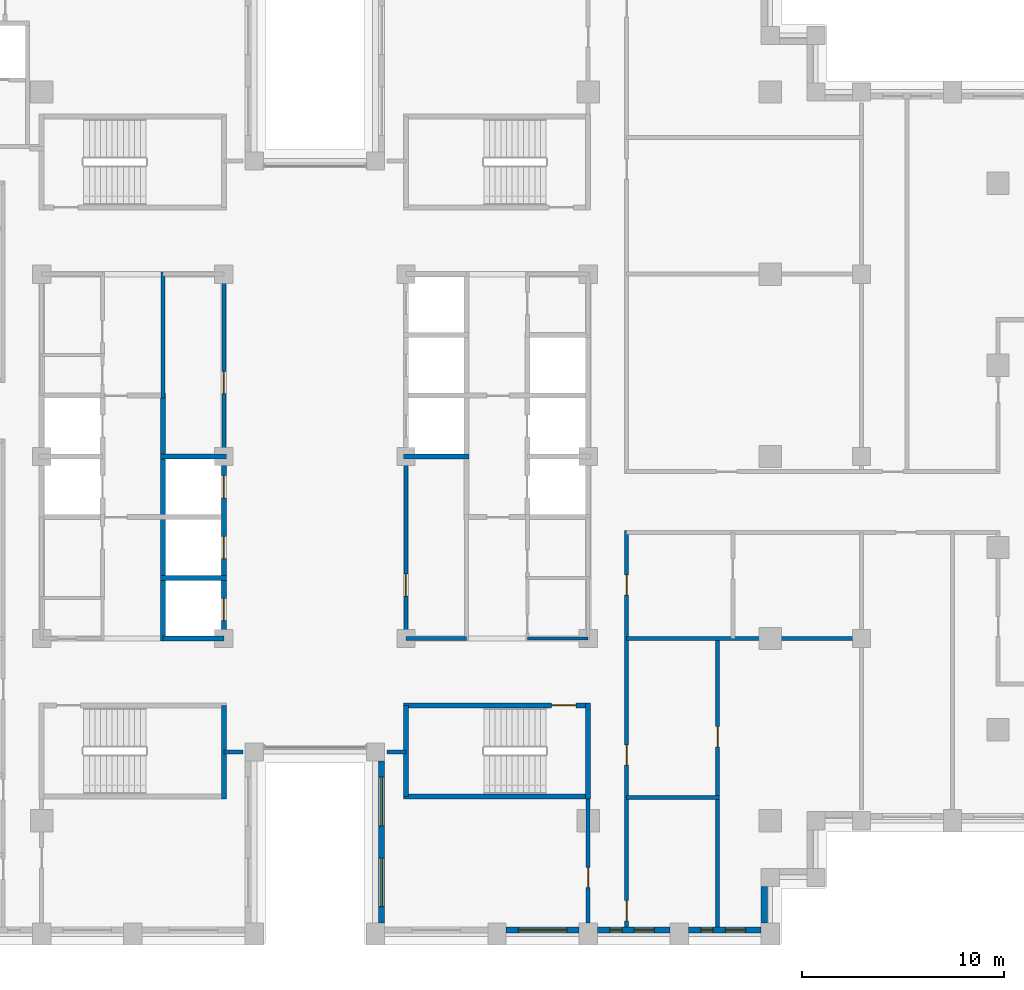
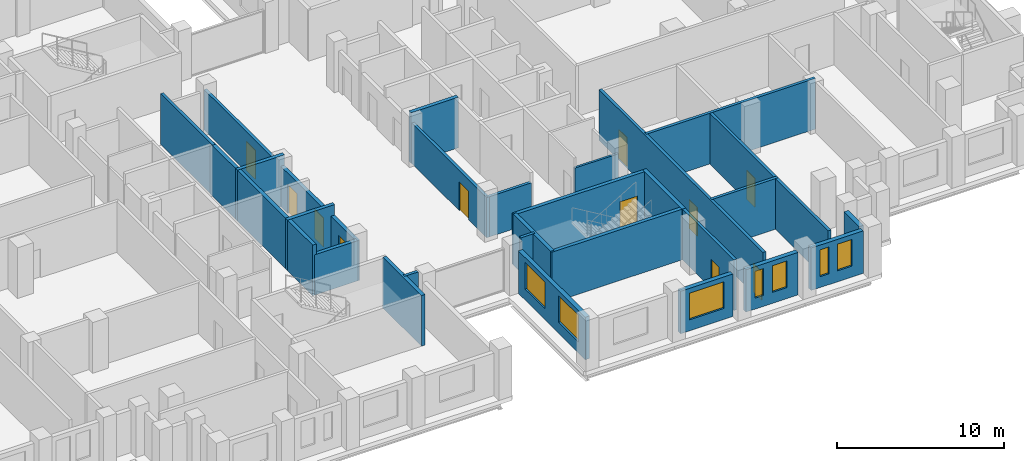
# One storey, part 8 of 15: 28 walls, 11 doors, 7 windows, 18 openings.
"""IFC4 building model written with IfcOpenShell, lengths in metres."""

from ifc_helpers import new_model, si_unit, direction, frame, frame_2d, origin, place, context, subcontext, project, spatial, rectangle, extrude, material, layer, layer_set, type_object, element, fill, save


model = new_model("IFC4")

# Units and contexts
model_context = context("Model", 3, precision=1e-05, world=origin(), true_north=direction((0.0, 1.0)))
body_context = subcontext(model_context, "Body", "Model", "MODEL_VIEW")
ifc_project = project(units=[si_unit("LENGTHUNIT", "METRE"), si_unit("AREAUNIT", "SQUARE_METRE"), si_unit("VOLUMEUNIT", "CUBIC_METRE"), si_unit("PLANEANGLEUNIT", "RADIAN"), si_unit("MASSUNIT", "GRAM", prefix="KILO")], contexts=[model_context])

# Site, building, storey
site_placement = place(None, origin())
site = spatial("IfcSite", under=ifc_project, at=site_placement, CompositionType="ELEMENT")
building_placement = place(site_placement, origin())
building = spatial("IfcBuilding", under=site, at=building_placement, Name="Corbelhall Arena Tower", CompositionType="ELEMENT")
storey_placement = place(building_placement, frame((0.0, 0.0, 142.0)))
storey = spatial("IfcBuildingStorey", under=building, at=storey_placement, Name="L27", CompositionType="ELEMENT", Elevation=142.0)

# Wall, openings, windows
ifc_material_1 = material(Name="Precast concrete C40/50 with granite facing", Category="masonry")
ifc_layer_1 = layer(ifc_material_1, 0.300048828125)
ifc_layer_set_1 = layer_set([ifc_layer_1], Name="EV-IW1 Infill panel 300")
wall_type_1 = type_object("IfcWallType", Name="EV-IW1 Infill panel 300", PredefinedType="SOLIDWALL", material=ifc_layer_set_1)
wall_1_placement = place(storey_placement, frame((3.300048828125, -15.050048828125, 0.0), z_axis=(0.0, 0.0, 1.0), x_axis=(0.0, -1.0, 0.0)))
wall_1 = element("IfcWall", 1, at=wall_1_placement, inside=storey, type_object=wall_type_1, Name="Infill panel IW1", PredefinedType="SOLIDWALL", context=body_context, shape_type="SweptSolid", body=[
    extrude(rectangle(XDim=8.0, YDim=0.300048828125, at=frame_2d((4.0, 0.0))), origin(), (0.0, 0.0, 1.0), 3.10009765625),
])
opening_1_placement = place(wall_1_placement, frame((0.800048828125, 0.0, 0.800048828125)))
opening_1 = element("IfcOpeningElement", 2, at=opening_1_placement, cuts=wall_1, Name="Opening WN1", PredefinedType="OPENING", context=body_context, shape_type="SweptSolid", body=[
    extrude(rectangle(XDim=2.39990234375, YDim=1.949951171875, at=frame_2d((1.199951171875, 0.97509765625))), frame((0.0, 0.14990234375, 0.0), z_axis=(0.0, -1.0, 0.0), x_axis=(1.0, 0.0, 0.0)), (0.0, 0.0, 1.0), 0.300048828125),
])
opening_2_placement = place(wall_1_placement, frame((4.800048828125, 0.0, 0.800048828125)))
opening_2 = element("IfcOpeningElement", 3, at=opening_2_placement, cuts=wall_1, Name="Opening WN1", PredefinedType="OPENING", context=body_context, shape_type="SweptSolid", body=[
    extrude(rectangle(XDim=2.39990234375, YDim=1.949951171875, at=frame_2d((1.199951171875, 0.97509765625))), frame((0.0, 0.14990234375, 0.0), z_axis=(0.0, -1.0, 0.0), x_axis=(1.0, 0.0, 0.0)), (0.0, 0.0, 1.0), 0.300048828125),
])
ifc_material_2 = material(Name="Aluminium black anodised", Category="aluminium")
window_type_1 = type_object("IfcWindowType", Name="EV-WN1 Office window", PartitioningType="SINGLE_PANEL", PredefinedType="WINDOW", material=ifc_material_2)
window_1_placement = place(opening_1_placement, origin())
window_1 = element("IfcWindow", 4, at=window_1_placement, inside=storey, type_object=window_type_1, Name="Window WN1", OverallHeight=1.949951171875, OverallWidth=2.39990234375, PartitioningType="SINGLE_PANEL", PredefinedType="WINDOW", context=body_context, shape_type="SweptSolid", body=[
    extrude(rectangle(XDim=2.39990234375, YDim=1.949951171875, at=frame_2d((1.199951171875, 0.97509765625))), frame((0.0, 0.030029296875, 0.0), z_axis=(0.0, -1.0, 0.0), x_axis=(1.0, 0.0, 0.0)), (0.0, 0.0, 1.0), 0.06005859375),
])
fill(opening_1, window_1)
window_2_placement = place(opening_2_placement, origin())
window_2 = element("IfcWindow", 5, at=window_2_placement, inside=storey, type_object=window_type_1, Name="Window WN1", OverallHeight=1.949951171875, OverallWidth=2.39990234375, PartitioningType="SINGLE_PANEL", PredefinedType="WINDOW", context=body_context, shape_type="SweptSolid", body=[
    extrude(rectangle(XDim=2.39990234375, YDim=1.949951171875, at=frame_2d((1.199951171875, 0.97509765625))), frame((0.0, 0.030029296875, 0.0), z_axis=(0.0, -1.0, 0.0), x_axis=(1.0, 0.0, 0.0)), (0.0, 0.0, 1.0), 0.06005859375),
])
fill(opening_2, window_2)

# Wall, opening, window
wall_2_placement = place(storey_placement, frame((9.449951171875, -23.39990234375, 0.0), z_axis=(0.0, 0.0, 1.0), x_axis=(1.0, 0.0, 0.0)))
wall_2 = element("IfcWall", 6, at=wall_2_placement, inside=storey, type_object=wall_type_1, Name="Infill panel IW1", PredefinedType="SOLIDWALL", context=body_context, shape_type="SweptSolid", body=[
    extrude(rectangle(XDim=3.60009765625, YDim=0.300048828125, at=frame_2d((1.800048828125, 0.0))), origin(), (0.0, 0.0, 1.0), 3.10009765625),
])
opening_3_placement = place(wall_2_placement, frame((0.60009765625, 0.0, 0.800048828125)))
opening_3 = element("IfcOpeningElement", 7, at=opening_3_placement, cuts=wall_2, Name="Opening WN1", PredefinedType="OPENING", context=body_context, shape_type="SweptSolid", body=[
    extrude(rectangle(XDim=2.39990234375, YDim=1.949951171875, at=frame_2d((1.199951171875, 0.97509765625))), frame((0.0, 0.14990234375, 0.0), z_axis=(0.0, -1.0, 0.0), x_axis=(1.0, 0.0, 0.0)), (0.0, 0.0, 1.0), 0.300048828125),
])
window_3_placement = place(opening_3_placement, origin())
window_3 = element("IfcWindow", 8, at=window_3_placement, inside=storey, type_object=window_type_1, Name="Window WN1", OverallHeight=1.949951171875, OverallWidth=2.39990234375, PartitioningType="SINGLE_PANEL", PredefinedType="WINDOW", context=body_context, shape_type="SweptSolid", body=[
    extrude(rectangle(XDim=2.39990234375, YDim=1.949951171875, at=frame_2d((1.199951171875, 0.97509765625))), frame((0.0, 0.030029296875, 0.0), z_axis=(0.0, -1.0, 0.0), x_axis=(1.0, 0.0, 0.0)), (0.0, 0.0, 1.0), 0.06005859375),
])
fill(opening_3, window_3)

# Wall, openings, windows
wall_3_placement = place(storey_placement, frame((13.949951171875, -23.39990234375, 0.0), z_axis=(0.0, 0.0, 1.0), x_axis=(1.0, 0.0, 0.0)))
wall_3 = element("IfcWall", 9, at=wall_3_placement, inside=storey, type_object=wall_type_1, Name="Infill panel IW1", PredefinedType="SOLIDWALL", context=body_context, shape_type="SweptSolid", body=[
    extrude(rectangle(XDim=3.60009765625, YDim=0.300048828125, at=frame_2d((1.800048828125, 0.0))), origin(), (0.0, 0.0, 1.0), 3.10009765625),
])
opening_4_placement = place(wall_3_placement, frame((0.625, 0.0, 0.800048828125)))
opening_4 = element("IfcOpeningElement", 10, at=opening_4_placement, cuts=wall_3, Name="Opening WN5", PredefinedType="OPENING", context=body_context, shape_type="SweptSolid", body=[
    extrude(rectangle(XDim=0.60009765625, YDim=1.949951171875, at=frame_2d((0.300048828125, 0.97509765625))), frame((0.0, 0.14990234375, 0.0), z_axis=(0.0, -1.0, 0.0), x_axis=(1.0, 0.0, 0.0)), (0.0, 0.0, 1.0), 0.300048828125),
])
opening_5_placement = place(wall_3_placement, frame((1.824951171875, 0.0, 0.800048828125)))
opening_5 = element("IfcOpeningElement", 11, at=opening_5_placement, cuts=wall_3, Name="Opening WN6", PredefinedType="OPENING", context=body_context, shape_type="SweptSolid", body=[
    extrude(rectangle(XDim=1.0, YDim=1.949951171875, at=frame_2d((0.5, 0.97509765625))), frame((0.0, 0.14990234375, 0.0), z_axis=(0.0, -1.0, 0.0), x_axis=(1.0, 0.0, 0.0)), (0.0, 0.0, 1.0), 0.300048828125),
])
window_type_2 = type_object("IfcWindowType", Name="EV-WN5 Office window 600", PartitioningType="SINGLE_PANEL", PredefinedType="WINDOW", material=ifc_material_2)
window_4_placement = place(opening_4_placement, origin())
window_4 = element("IfcWindow", 12, at=window_4_placement, inside=storey, type_object=window_type_2, Name="Window WN5", OverallHeight=1.949951171875, OverallWidth=0.60009765625, PartitioningType="SINGLE_PANEL", PredefinedType="WINDOW", context=body_context, shape_type="SweptSolid", body=[
    extrude(rectangle(XDim=0.60009765625, YDim=1.949951171875, at=frame_2d((0.300048828125, 0.97509765625))), frame((0.0, 0.030029296875, 0.0), z_axis=(0.0, -1.0, 0.0), x_axis=(1.0, 0.0, 0.0)), (0.0, 0.0, 1.0), 0.06005859375),
])
fill(opening_4, window_4)
window_type_3 = type_object("IfcWindowType", Name="EV-WN6 Office window 1000", PartitioningType="SINGLE_PANEL", PredefinedType="WINDOW", material=ifc_material_2)
window_5_placement = place(opening_5_placement, origin())
window_5 = element("IfcWindow", 13, at=window_5_placement, inside=storey, type_object=window_type_3, Name="Window WN6", OverallHeight=1.949951171875, OverallWidth=1.0, PartitioningType="SINGLE_PANEL", PredefinedType="WINDOW", context=body_context, shape_type="SweptSolid", body=[
    extrude(rectangle(XDim=1.0, YDim=1.949951171875, at=frame_2d((0.5, 0.97509765625))), frame((0.0, 0.030029296875, 0.0), z_axis=(0.0, -1.0, 0.0), x_axis=(1.0, 0.0, 0.0)), (0.0, 0.0, 1.0), 0.06005859375),
])
fill(opening_5, window_5)

wall_4_placement = place(storey_placement, frame((18.449951171875, -23.39990234375, 0.0), z_axis=(0.0, 0.0, 1.0), x_axis=(1.0, 0.0, 0.0)))
wall_4 = element("IfcWall", 14, at=wall_4_placement, inside=storey, type_object=wall_type_1, Name="Infill panel IW1", PredefinedType="SOLIDWALL", context=body_context, shape_type="SweptSolid", body=[
    extrude(rectangle(XDim=3.60009765625, YDim=0.300048828125, at=frame_2d((1.800048828125, 0.0))), origin(), (0.0, 0.0, 1.0), 3.10009765625),
])
opening_6_placement = place(wall_4_placement, frame((0.625, 0.0, 0.800048828125)))
opening_6 = element("IfcOpeningElement", 15, at=opening_6_placement, cuts=wall_4, Name="Opening WN5", PredefinedType="OPENING", context=body_context, shape_type="SweptSolid", body=[
    extrude(rectangle(XDim=0.60009765625, YDim=1.949951171875, at=frame_2d((0.300048828125, 0.97509765625))), frame((0.0, 0.14990234375, 0.0), z_axis=(0.0, -1.0, 0.0), x_axis=(1.0, 0.0, 0.0)), (0.0, 0.0, 1.0), 0.300048828125),
])
opening_7_placement = place(wall_4_placement, frame((1.824951171875, 0.0, 0.800048828125)))
opening_7 = element("IfcOpeningElement", 16, at=opening_7_placement, cuts=wall_4, Name="Opening WN6", PredefinedType="OPENING", context=body_context, shape_type="SweptSolid", body=[
    extrude(rectangle(XDim=1.0, YDim=1.949951171875, at=frame_2d((0.5, 0.97509765625))), frame((0.0, 0.14990234375, 0.0), z_axis=(0.0, -1.0, 0.0), x_axis=(1.0, 0.0, 0.0)), (0.0, 0.0, 1.0), 0.300048828125),
])
window_6_placement = place(opening_6_placement, origin())
window_6 = element("IfcWindow", 17, at=window_6_placement, inside=storey, type_object=window_type_2, Name="Window WN5", OverallHeight=1.949951171875, OverallWidth=0.60009765625, PartitioningType="SINGLE_PANEL", PredefinedType="WINDOW", context=body_context, shape_type="SweptSolid", body=[
    extrude(rectangle(XDim=0.60009765625, YDim=1.949951171875, at=frame_2d((0.300048828125, 0.97509765625))), frame((0.0, 0.030029296875, 0.0), z_axis=(0.0, -1.0, 0.0), x_axis=(1.0, 0.0, 0.0)), (0.0, 0.0, 1.0), 0.06005859375),
])
fill(opening_6, window_6)
window_7_placement = place(opening_7_placement, origin())
window_7 = element("IfcWindow", 18, at=window_7_placement, inside=storey, type_object=window_type_3, Name="Window WN6", OverallHeight=1.949951171875, OverallWidth=1.0, PartitioningType="SINGLE_PANEL", PredefinedType="WINDOW", context=body_context, shape_type="SweptSolid", body=[
    extrude(rectangle(XDim=1.0, YDim=1.949951171875, at=frame_2d((0.5, 0.97509765625))), frame((0.0, 0.030029296875, 0.0), z_axis=(0.0, -1.0, 0.0), x_axis=(1.0, 0.0, 0.0)), (0.0, 0.0, 1.0), 0.06005859375),
])
fill(opening_7, window_7)

# Walls
wall_5_placement = place(storey_placement, frame((22.199951171875, -23.050048828125, 0.0), z_axis=(0.0, 0.0, 1.0), x_axis=(0.0, 1.0, 0.0)))
element("IfcWall", 19, at=wall_5_placement, inside=storey, type_object=wall_type_1, Name="Infill panel IW1", PredefinedType="SOLIDWALL", context=body_context, shape_type="SweptSolid", body=[
    extrude(rectangle(XDim=1.800048828125, YDim=0.300048828125, at=frame_2d((0.89990234375, 0.0))), origin(), (0.0, 0.0, 1.0), 3.10009765625),
])
ifc_material_3 = material(Name="Gypsum board on steel stud, acoustic", Category="steel")
ifc_layer_2 = layer(ifc_material_3, 0.199951171875)
ifc_layer_set_2 = layer_set([ifc_layer_2], Name="IN-W-DM200")
wall_type_2 = type_object("IfcWallType", Name="IN-W-DM200", PredefinedType="PARTITIONING", material=ifc_layer_set_2)
for number, where, z_axis, x_axis, name in (
    (20, (-3.550048828125, -14.60009765625, 0.0), (0.0, 0.0, 1.0), (-1.0, 0.0, 0.0), "Partition 023"),
    (21, (4.5, -14.60009765625, 0.0), (0.0, 0.0, 1.0), (-1.0, 0.0, 0.0), "Partition 025"),
):
    element("IfcWall", number, at=place(storey_placement, frame(where, z_axis=z_axis, x_axis=x_axis)), inside=storey, type_object=wall_type_2, Name=name, PredefinedType="PARTITIONING", context=body_context, shape_type="SweptSolid", body=[
        extrude(rectangle(XDim=0.949951171875, YDim=0.199951171875, at=frame_2d((0.47509765625, 0.0))), origin(), (0.0, 0.0, 1.0), 3.699951171875),
    ])

# Wall, opening, door
wall_6_placement = place(storey_placement, frame((13.5, -23.050048828125, 0.0), z_axis=(0.0, 0.0, 1.0), x_axis=(0.0, 1.0, 0.0)))
wall_6 = element("IfcWall", 22, at=wall_6_placement, inside=storey, type_object=wall_type_2, Name="Partition 026", PredefinedType="PARTITIONING", context=body_context, shape_type="SweptSolid", body=[
    extrude(rectangle(XDim=6.375, YDim=0.199951171875, at=frame_2d((3.1875, 0.0))), origin(), (0.0, 0.0, 1.0), 3.699951171875),
])
opening_8_placement = place(wall_6_placement, frame((1.75, 0.0, 0.0)))
opening_8 = element("IfcOpeningElement", 23, at=opening_8_placement, cuts=wall_6, Name="Opening 07025", PredefinedType="OPENING", context=body_context, shape_type="SweptSolid", body=[
    extrude(rectangle(XDim=1.0, YDim=2.10009765625, at=frame_2d((0.5, 1.050048828125))), frame((0.0, 0.10009765625, 0.0), z_axis=(0.0, -1.0, 0.0), x_axis=(1.0, 0.0, 0.0)), (0.0, 0.0, 1.0), 0.199951171875),
])
ifc_material_4 = material(Name="Steel door set", Category="steel")
door_type_1 = type_object("IfcDoorType", Name="IN-D-SW100", OperationType="NOTDEFINED", PredefinedType="DOOR", material=ifc_material_4)
door_1_placement = place(opening_8_placement, origin())
door_1 = element("IfcDoor", 24, at=door_1_placement, inside=storey, type_object=door_type_1, Name="Door 025", OperationType="SINGLE_SWING_RIGHT", OverallHeight=2.10009765625, OverallWidth=1.0, PredefinedType="DOOR", context=body_context, shape_type="SweptSolid", body=[
    extrude(rectangle(XDim=1.0, YDim=2.10009765625, at=frame_2d((0.5, 1.050048828125))), frame((0.0, 0.02490234375, 0.0), z_axis=(0.0, -1.0, 0.0), x_axis=(1.0, 0.0, 0.0)), (0.0, 0.0, 1.0), 0.050048828125),
])
fill(opening_8, door_1)

# Wall
wall_7_placement = place(storey_placement, frame((15.39990234375, -16.85009765625, 0.0), z_axis=(0.0, 0.0, 1.0), x_axis=(1.0, 0.0, 0.0)))
element("IfcWall", 25, at=wall_7_placement, inside=storey, type_object=wall_type_2, Name="Partition 028", PredefinedType="PARTITIONING", context=body_context, shape_type="SweptSolid", body=[
    extrude(rectangle(XDim=4.60009765625, YDim=0.199951171875, at=frame_2d((2.300048828125, 0.0))), origin(), (0.0, 0.0, 1.0), 3.699951171875),
])

# Wall, openings, doors
wall_8_placement = place(storey_placement, frame((15.39990234375, -3.64990234375, 0.0), z_axis=(0.0, 0.0, 1.0), x_axis=(0.0, -1.0, 0.0)))
wall_8 = element("IfcWall", 26, at=wall_8_placement, inside=storey, type_object=wall_type_2, Name="Partition 029", PredefinedType="PARTITIONING", context=body_context, shape_type="SweptSolid", body=[
    extrude(rectangle(XDim=19.60009765625, YDim=0.199951171875, at=frame_2d((9.800048828125, 0.0))), origin(), (0.0, 0.0, 1.0), 3.699951171875),
])
opening_9_placement = place(wall_8_placement, frame((18.300048828125, 0.0, 0.0)))
opening_9 = element("IfcOpeningElement", 27, at=opening_9_placement, cuts=wall_8, Name="Opening 07035", PredefinedType="OPENING", context=body_context, shape_type="SweptSolid", body=[
    extrude(rectangle(XDim=1.0, YDim=2.10009765625, at=frame_2d((0.5, 1.050048828125))), frame((0.0, 0.10009765625, 0.0), z_axis=(0.0, -1.0, 0.0), x_axis=(1.0, 0.0, 0.0)), (0.0, 0.0, 1.0), 0.199951171875),
])
opening_10_placement = place(wall_8_placement, frame((10.60009765625, 0.0, 0.0)))
opening_10 = element("IfcOpeningElement", 28, at=opening_10_placement, cuts=wall_8, Name="Opening 07036", PredefinedType="OPENING", context=body_context, shape_type="SweptSolid", body=[
    extrude(rectangle(XDim=1.0, YDim=2.10009765625, at=frame_2d((0.5, 1.050048828125))), frame((0.0, 0.10009765625, 0.0), z_axis=(0.0, -1.0, 0.0), x_axis=(1.0, 0.0, 0.0)), (0.0, 0.0, 1.0), 0.199951171875),
])
opening_11_placement = place(wall_8_placement, frame((2.199951171875, 0.0, 0.0)))
opening_11 = element("IfcOpeningElement", 29, at=opening_11_placement, cuts=wall_8, Name="Opening 07038", PredefinedType="OPENING", context=body_context, shape_type="SweptSolid", body=[
    extrude(rectangle(XDim=1.0, YDim=2.10009765625, at=frame_2d((0.5, 1.050048828125))), frame((0.0, 0.10009765625, 0.0), z_axis=(0.0, -1.0, 0.0), x_axis=(1.0, 0.0, 0.0)), (0.0, 0.0, 1.0), 0.199951171875),
])
door_2_placement = place(opening_9_placement, origin())
door_2 = element("IfcDoor", 30, at=door_2_placement, inside=storey, type_object=door_type_1, Name="Door 035", OperationType="SINGLE_SWING_RIGHT", OverallHeight=2.10009765625, OverallWidth=1.0, PredefinedType="DOOR", context=body_context, shape_type="SweptSolid", body=[
    extrude(rectangle(XDim=1.0, YDim=2.10009765625, at=frame_2d((0.5, 1.050048828125))), frame((0.0, 0.02490234375, 0.0), z_axis=(0.0, -1.0, 0.0), x_axis=(1.0, 0.0, 0.0)), (0.0, 0.0, 1.0), 0.050048828125),
])
fill(opening_9, door_2)
door_3_placement = place(opening_10_placement, origin())
door_3 = element("IfcDoor", 31, at=door_3_placement, inside=storey, type_object=door_type_1, Name="Door 036", OperationType="SINGLE_SWING_LEFT", OverallHeight=2.10009765625, OverallWidth=1.0, PredefinedType="DOOR", context=body_context, shape_type="SweptSolid", body=[
    extrude(rectangle(XDim=1.0, YDim=2.10009765625, at=frame_2d((0.5, 1.050048828125))), frame((0.0, 0.02490234375, 0.0), z_axis=(0.0, -1.0, 0.0), x_axis=(1.0, 0.0, 0.0)), (0.0, 0.0, 1.0), 0.050048828125),
])
fill(opening_10, door_3)
door_4_placement = place(opening_11_placement, origin())
door_4 = element("IfcDoor", 32, at=door_4_placement, inside=storey, type_object=door_type_1, Name="Door 038", OperationType="SINGLE_SWING_LEFT", OverallHeight=2.10009765625, OverallWidth=1.0, PredefinedType="DOOR", context=body_context, shape_type="SweptSolid", body=[
    extrude(rectangle(XDim=1.0, YDim=2.10009765625, at=frame_2d((0.5, 1.050048828125))), frame((0.0, 0.02490234375, 0.0), z_axis=(0.0, -1.0, 0.0), x_axis=(1.0, 0.0, 0.0)), (0.0, 0.0, 1.0), 0.050048828125),
])
fill(opening_11, door_4)

# Wall
wall_9_placement = place(storey_placement, frame((15.39990234375, -9.0, 0.0), z_axis=(0.0, 0.0, 1.0), x_axis=(1.0, 0.0, 0.0)))
element("IfcWall", 33, at=wall_9_placement, inside=storey, type_object=wall_type_2, Name="Partition 030", PredefinedType="PARTITIONING", context=body_context, shape_type="SweptSolid", body=[
    extrude(rectangle(XDim=11.7001953125, YDim=0.199951171875, at=frame_2d((5.85009765625, 0.0))), origin(), (0.0, 0.0, 1.0), 3.699951171875),
])

# Wall, opening, door
wall_10_placement = place(storey_placement, frame((19.89990234375, -8.89990234375, 0.0), z_axis=(0.0, 0.0, 1.0), x_axis=(0.0, -1.0, 0.0)))
wall_10 = element("IfcWall", 34, at=wall_10_placement, inside=storey, type_object=wall_type_2, Name="Partition 035", PredefinedType="PARTITIONING", context=body_context, shape_type="SweptSolid", body=[
    extrude(rectangle(XDim=14.35009765625, YDim=0.199951171875, at=frame_2d((7.175048828125, 0.0))), origin(), (0.0, 0.0, 1.0), 3.699951171875),
])
opening_12_placement = place(wall_10_placement, frame((4.449951171875, 0.0, 0.0)))
opening_12 = element("IfcOpeningElement", 35, at=opening_12_placement, cuts=wall_10, Name="Opening 07037", PredefinedType="OPENING", context=body_context, shape_type="SweptSolid", body=[
    extrude(rectangle(XDim=1.0, YDim=2.10009765625, at=frame_2d((0.5, 1.050048828125))), frame((0.0, 0.10009765625, 0.0), z_axis=(0.0, -1.0, 0.0), x_axis=(1.0, 0.0, 0.0)), (0.0, 0.0, 1.0), 0.199951171875),
])
door_5_placement = place(opening_12_placement, origin())
door_5 = element("IfcDoor", 36, at=door_5_placement, inside=storey, type_object=door_type_1, Name="Door 037", OperationType="SINGLE_SWING_RIGHT", OverallHeight=2.10009765625, OverallWidth=1.0, PredefinedType="DOOR", context=body_context, shape_type="SweptSolid", body=[
    extrude(rectangle(XDim=1.0, YDim=2.10009765625, at=frame_2d((0.5, 1.050048828125))), frame((0.0, 0.02490234375, 0.0), z_axis=(0.0, -1.0, 0.0), x_axis=(1.0, 0.0, 0.0)), (0.0, 0.0, 1.0), 0.050048828125),
])
fill(opening_12, door_5)

# Wall
ifc_material_5 = material(Name="Concrete block wall", Category="concrete")
ifc_layer_3 = layer(ifc_material_5, 0.199951171875)
ifc_layer_set_3 = layer_set([ifc_layer_3], Name="IN-W-RS200")
wall_type_3 = type_object("IfcWallType", Name="IN-W-RS200", PredefinedType="SOLIDWALL", material=ifc_layer_set_3)
wall_11_placement = place(storey_placement, frame((-7.5, 2.875, 0.0), z_axis=(0.0, 0.0, 1.0), x_axis=(0.0, 1.0, 0.0)))
element("IfcWall", 37, at=wall_11_placement, inside=storey, type_object=wall_type_3, Name="Partition 051", PredefinedType="SOLIDWALL", context=body_context, shape_type="SweptSolid", body=[
    extrude(rectangle(XDim=6.22509765625, YDim=0.199951171875, at=frame_2d((3.112548828125, 0.0))), origin(), (0.0, 0.0, 1.0), 3.699951171875),
])

# Wall, opening, door
ifc_layer_4 = layer(ifc_material_5, 0.199951171875)
ifc_layer_set_4 = layer_set([ifc_layer_4], Name="IN-W-RS200 under beam 762 mm")
wall_type_4 = type_object("IfcWallType", Name="IN-W-RS200 under beam 762 mm", PredefinedType="SOLIDWALL", material=ifc_layer_set_4)
wall_12_placement = place(storey_placement, frame((-4.5, 9.10009765625, 0.0), z_axis=(0.0, 0.0, 1.0), x_axis=(0.0, -1.0, 0.0)))
wall_12 = element("IfcWall", 38, at=wall_12_placement, inside=storey, type_object=wall_type_4, Name="Partition 053", PredefinedType="SOLIDWALL", context=body_context, shape_type="SweptSolid", body=[
    extrude(rectangle(XDim=9.10009765625, YDim=0.199951171875, at=frame_2d((4.550048828125, 0.0))), origin(), (0.0, 0.0, 1.0), 2.93798828125),
])
opening_13_placement = place(wall_12_placement, frame((4.89990234375, 0.0, 0.0)))
opening_13 = element("IfcOpeningElement", 39, at=opening_13_placement, cuts=wall_12, Name="Opening 07001", PredefinedType="OPENING", context=body_context, shape_type="SweptSolid", body=[
    extrude(rectangle(XDim=1.10009765625, YDim=2.10009765625, at=frame_2d((0.550048828125, 1.050048828125))), frame((0.0, 0.10009765625, 0.0), z_axis=(0.0, -1.0, 0.0), x_axis=(1.0, 0.0, 0.0)), (0.0, 0.0, 1.0), 0.199951171875),
])
door_type_2 = type_object("IfcDoorType", Name="IN-D-FD110", OperationType="NOTDEFINED", PredefinedType="DOOR", material=ifc_material_4)
door_6_placement = place(opening_13_placement, origin())
door_6 = element("IfcDoor", 40, at=door_6_placement, inside=storey, type_object=door_type_2, Name="Door 001", OperationType="SINGLE_SWING_RIGHT", OverallHeight=2.10009765625, OverallWidth=1.10009765625, PredefinedType="DOOR", context=body_context, shape_type="SweptSolid", body=[
    extrude(rectangle(XDim=1.10009765625, YDim=2.10009765625, at=frame_2d((0.550048828125, 1.050048828125))), frame((0.0, 0.02490234375, 0.0), z_axis=(0.0, -1.0, 0.0), x_axis=(1.0, 0.0, 0.0)), (0.0, 0.0, 1.0), 0.050048828125),
])
fill(opening_13, door_6)

wall_13_placement = place(storey_placement, frame((4.5, -9.10009765625, 0.0), z_axis=(0.0, 0.0, 1.0), x_axis=(0.0, 1.0, 0.0)))
wall_13 = element("IfcWall", 41, at=wall_13_placement, inside=storey, type_object=wall_type_4, Name="Partition 054", PredefinedType="SOLIDWALL", context=body_context, shape_type="SweptSolid", body=[
    extrude(rectangle(XDim=9.10009765625, YDim=0.199951171875, at=frame_2d((4.550048828125, 0.0))), origin(), (0.0, 0.0, 1.0), 2.93798828125),
])
opening_14_placement = place(wall_13_placement, frame((2.199951171875, 0.0, 0.0)))
opening_14 = element("IfcOpeningElement", 42, at=opening_14_placement, cuts=wall_13, Name="Opening 07008", PredefinedType="OPENING", context=body_context, shape_type="SweptSolid", body=[
    extrude(rectangle(XDim=1.10009765625, YDim=2.10009765625, at=frame_2d((0.550048828125, 1.050048828125))), frame((0.0, 0.10009765625, 0.0), z_axis=(0.0, -1.0, 0.0), x_axis=(1.0, 0.0, 0.0)), (0.0, 0.0, 1.0), 0.199951171875),
])
door_7_placement = place(opening_14_placement, origin())
door_7 = element("IfcDoor", 43, at=door_7_placement, inside=storey, type_object=door_type_2, Name="Door 008", OperationType="SINGLE_SWING_LEFT", OverallHeight=2.10009765625, OverallWidth=1.10009765625, PredefinedType="DOOR", context=body_context, shape_type="SweptSolid", body=[
    extrude(rectangle(XDim=1.10009765625, YDim=2.10009765625, at=frame_2d((0.550048828125, 1.050048828125))), frame((0.0, 0.02490234375, 0.0), z_axis=(0.0, -1.0, 0.0), x_axis=(1.0, 0.0, 0.0)), (0.0, 0.0, 1.0), 0.050048828125),
])
fill(opening_14, door_7)

# Walls
wall_14_placement = place(storey_placement, frame((7.5, -9.0, 0.0), z_axis=(0.0, 0.0, 1.0), x_axis=(-1.0, 0.0, 0.0)))
element("IfcWall", 44, at=wall_14_placement, inside=storey, type_object=wall_type_4, Name="Partition 055", PredefinedType="SOLIDWALL", context=body_context, shape_type="SweptSolid", body=[
    extrude(rectangle(XDim=3.0, YDim=0.199951171875, at=frame_2d((1.5, 0.0))), origin(), (0.0, 0.0, 1.0), 2.93798828125),
])
ifc_material_6 = material(Name="Concrete C40/50", Category="concrete")
ifc_layer_5 = layer(ifc_material_6, 0.25)
ifc_layer_set_5 = layer_set([ifc_layer_5], Name="IN-W-SH250")
wall_type_5 = type_object("IfcWallType", Name="IN-W-SH250", PredefinedType="SOLIDWALL", material=ifc_layer_set_5)
for number, where, z_axis, x_axis, name in (
    (45, (-7.625, -6.0, 0.0), (0.0, 0.0, 1.0), (1.0, 0.0, 0.0), "Shaft wall 067"),
    (46, (-7.625, 0.0, 0.0), (0.0, 0.0, 1.0), (1.0, 0.0, 0.0), "Shaft wall 068"),
):
    element("IfcWall", number, at=place(storey_placement, frame(where, z_axis=z_axis, x_axis=x_axis)), inside=storey, type_object=wall_type_5, Name=name, PredefinedType="SOLIDWALL", context=body_context, shape_type="SweptSolid", body=[
        extrude(rectangle(XDim=3.25, YDim=0.25, at=frame_2d((1.625, 0.0))), origin(), (0.0, 0.0, 1.0), 3.699951171875),
    ])
wall_15_placement = place(storey_placement, frame((-7.5, -9.125, 0.0), z_axis=(0.0, 0.0, 1.0), x_axis=(0.0, 1.0, 0.0)))
element("IfcWall", 47, at=wall_15_placement, inside=storey, type_object=wall_type_5, Name="Shaft wall 069", PredefinedType="SOLIDWALL", context=body_context, shape_type="SweptSolid", body=[
    extrude(rectangle(XDim=12.25, YDim=0.25, at=frame_2d((6.125, 0.0))), origin(), (0.0, 0.0, 1.0), 3.699951171875),
])
wall_16_placement = place(storey_placement, frame((4.375, 0.0, 0.0), z_axis=(0.0, 0.0, 1.0), x_axis=(1.0, 0.0, 0.0)))
element("IfcWall", 48, at=wall_16_placement, inside=storey, type_object=wall_type_5, Name="Shaft wall 072", PredefinedType="SOLIDWALL", context=body_context, shape_type="SweptSolid", body=[
    extrude(rectangle(XDim=3.25, YDim=0.25, at=frame_2d((1.625, 0.0))), origin(), (0.0, 0.0, 1.0), 3.699951171875),
])
ifc_layer_6 = layer(ifc_material_6, 0.25)
ifc_layer_set_6 = layer_set([ifc_layer_6], Name="IN-W-SH250 under beam 762 mm")
wall_type_6 = type_object("IfcWallType", Name="IN-W-SH250 under beam 762 mm", PredefinedType="SOLIDWALL", material=ifc_layer_set_6)
wall_17_placement = place(storey_placement, frame((-4.5, -9.0, 0.0), z_axis=(0.0, 0.0, 1.0), x_axis=(-1.0, 0.0, 0.0)))
element("IfcWall", 49, at=wall_17_placement, inside=storey, type_object=wall_type_6, Name="Shaft wall 070", PredefinedType="SOLIDWALL", context=body_context, shape_type="SweptSolid", body=[
    extrude(rectangle(XDim=3.0, YDim=0.25, at=frame_2d((1.5, 0.0))), origin(), (0.0, 0.0, 1.0), 2.93798828125),
])

# Wall, openings, doors
wall_18_placement = place(storey_placement, frame((-4.5, 0.0, 0.0), z_axis=(0.0, 0.0, 1.0), x_axis=(0.0, -1.0, 0.0)))
wall_18 = element("IfcWall", 50, at=wall_18_placement, inside=storey, type_object=wall_type_6, Name="Shaft wall 071", PredefinedType="SOLIDWALL", context=body_context, shape_type="SweptSolid", body=[
    extrude(rectangle(XDim=9.125, YDim=0.25, at=frame_2d((4.5625, 0.0))), origin(), (0.0, 0.0, 1.0), 2.93798828125),
])
opening_15_placement = place(wall_18_placement, frame((7.012451171875, 0.0, 0.0)))
opening_15 = element("IfcOpeningElement", 51, at=opening_15_placement, cuts=wall_18, Name="Opening LD", PredefinedType="OPENING", context=body_context, shape_type="SweptSolid", body=[
    extrude(rectangle(XDim=1.10009765625, YDim=2.10009765625, at=frame_2d((0.550048828125, 1.050048828125))), frame((0.0, 0.125, 0.0), z_axis=(0.0, -1.0, 0.0), x_axis=(1.0, 0.0, 0.0)), (0.0, 0.0, 1.0), 0.25),
])
opening_16_placement = place(wall_18_placement, frame((3.949951171875, 0.0, 0.0)))
opening_16 = element("IfcOpeningElement", 52, at=opening_16_placement, cuts=wall_18, Name="Opening LD", PredefinedType="OPENING", context=body_context, shape_type="SweptSolid", body=[
    extrude(rectangle(XDim=1.10009765625, YDim=2.10009765625, at=frame_2d((0.550048828125, 1.050048828125))), frame((0.0, 0.125, 0.0), z_axis=(0.0, -1.0, 0.0), x_axis=(1.0, 0.0, 0.0)), (0.0, 0.0, 1.0), 0.25),
])
opening_17_placement = place(wall_18_placement, frame((0.949951171875, 0.0, 0.0)))
opening_17 = element("IfcOpeningElement", 53, at=opening_17_placement, cuts=wall_18, Name="Opening LD", PredefinedType="OPENING", context=body_context, shape_type="SweptSolid", body=[
    extrude(rectangle(XDim=1.10009765625, YDim=2.10009765625, at=frame_2d((0.550048828125, 1.050048828125))), frame((0.0, 0.125, 0.0), z_axis=(0.0, -1.0, 0.0), x_axis=(1.0, 0.0, 0.0)), (0.0, 0.0, 1.0), 0.25),
])
door_type_3 = type_object("IfcDoorType", Name="IN-D-LD110", OperationType="NOTDEFINED", PredefinedType="DOOR", material=ifc_material_4)
door_8_placement = place(opening_15_placement, origin())
door_8 = element("IfcDoor", 54, at=door_8_placement, inside=storey, type_object=door_type_3, Name="Landing door W1", OperationType="SLIDING_TO_LEFT", OverallHeight=2.10009765625, OverallWidth=1.10009765625, PredefinedType="DOOR", context=body_context, shape_type="SweptSolid", body=[
    extrude(rectangle(XDim=1.10009765625, YDim=2.10009765625, at=frame_2d((0.550048828125, 1.050048828125))), frame((0.0, 0.02490234375, 0.0), z_axis=(0.0, -1.0, 0.0), x_axis=(1.0, 0.0, 0.0)), (0.0, 0.0, 1.0), 0.050048828125),
])
fill(opening_15, door_8)
door_9_placement = place(opening_16_placement, origin())
door_9 = element("IfcDoor", 55, at=door_9_placement, inside=storey, type_object=door_type_3, Name="Landing door W2", OperationType="SLIDING_TO_LEFT", OverallHeight=2.10009765625, OverallWidth=1.10009765625, PredefinedType="DOOR", context=body_context, shape_type="SweptSolid", body=[
    extrude(rectangle(XDim=1.10009765625, YDim=2.10009765625, at=frame_2d((0.550048828125, 1.050048828125))), frame((0.0, 0.02490234375, 0.0), z_axis=(0.0, -1.0, 0.0), x_axis=(1.0, 0.0, 0.0)), (0.0, 0.0, 1.0), 0.050048828125),
])
fill(opening_16, door_9)
door_10_placement = place(opening_17_placement, origin())
door_10 = element("IfcDoor", 56, at=door_10_placement, inside=storey, type_object=door_type_3, Name="Landing door W3", OperationType="SLIDING_TO_LEFT", OverallHeight=2.10009765625, OverallWidth=1.10009765625, PredefinedType="DOOR", context=body_context, shape_type="SweptSolid", body=[
    extrude(rectangle(XDim=1.10009765625, YDim=2.10009765625, at=frame_2d((0.550048828125, 1.050048828125))), frame((0.0, 0.02490234375, 0.0), z_axis=(0.0, -1.0, 0.0), x_axis=(1.0, 0.0, 0.0)), (0.0, 0.0, 1.0), 0.050048828125),
])
fill(opening_17, door_10)

# Walls
ifc_layer_7 = layer(ifc_material_6, 0.25)
ifc_layer_set_7 = layer_set([ifc_layer_7], Name="IN-W-ST250")
wall_type_7 = type_object("IfcWallType", Name="IN-W-ST250", PredefinedType="SOLIDWALL", material=ifc_layer_set_7)
wall_19_placement = place(storey_placement, frame((-4.5, -12.300048828125, 0.0), z_axis=(0.0, 0.0, 1.0), x_axis=(0.0, -1.0, 0.0)))
element("IfcWall", 57, at=wall_19_placement, inside=storey, type_object=wall_type_7, Name="Shaft wall 094", PredefinedType="SOLIDWALL", context=body_context, shape_type="SweptSolid", body=[
    extrude(rectangle(XDim=4.625, YDim=0.25, at=frame_2d((2.3125, 0.0))), origin(), (0.0, 0.0, 1.0), 3.699951171875),
])
wall_20_placement = place(storey_placement, frame((4.5, -16.800048828125, 0.0), z_axis=(0.0, 0.0, 1.0), x_axis=(0.0, 1.0, 0.0)))
element("IfcWall", 58, at=wall_20_placement, inside=storey, type_object=wall_type_7, Name="Shaft wall 099", PredefinedType="SOLIDWALL", context=body_context, shape_type="SweptSolid", body=[
    extrude(rectangle(XDim=4.5, YDim=0.25, at=frame_2d((2.25, 0.0))), origin(), (0.0, 0.0, 1.0), 3.699951171875),
])
wall_21_placement = place(storey_placement, frame((13.5, -16.925048828125, 0.0), z_axis=(0.0, 0.0, 1.0), x_axis=(0.0, 1.0, 0.0)))
element("IfcWall", 59, at=wall_21_placement, inside=storey, type_object=wall_type_7, Name="Shaft wall 101", PredefinedType="SOLIDWALL", context=body_context, shape_type="SweptSolid", body=[
    extrude(rectangle(XDim=4.75, YDim=0.25, at=frame_2d((2.375, 0.0))), origin(), (0.0, 0.0, 1.0), 3.699951171875),
])
wall_22_placement = place(storey_placement, frame((13.5, -16.800048828125, 0.0), z_axis=(0.0, 0.0, 1.0), x_axis=(-1.0, 0.0, 0.0)))
element("IfcWall", 60, at=wall_22_placement, inside=storey, type_object=wall_type_7, Name="Shaft wall 102", PredefinedType="SOLIDWALL", context=body_context, shape_type="SweptSolid", body=[
    extrude(rectangle(XDim=9.125, YDim=0.25, at=frame_2d((4.5625, 0.0))), origin(), (0.0, 0.0, 1.0), 3.699951171875),
])

# Wall, opening, door
wall_23_placement = place(storey_placement, frame((13.5, -12.300048828125, 0.0), z_axis=(0.0, 0.0, 1.0), x_axis=(-1.0, 0.0, 0.0)))
wall_23 = element("IfcWall", 61, at=wall_23_placement, inside=storey, type_object=wall_type_7, Name="Shaft wall 103", PredefinedType="SOLIDWALL", context=body_context, shape_type="SweptSolid", body=[
    extrude(rectangle(XDim=9.125, YDim=0.25, at=frame_2d((4.5625, 0.0))), origin(), (0.0, 0.0, 1.0), 3.699951171875),
])
opening_18_placement = place(wall_23_placement, frame((0.60009765625, 0.0, 0.0)))
opening_18 = element("IfcOpeningElement", 62, at=opening_18_placement, cuts=wall_23, Name="Opening 07017", PredefinedType="OPENING", context=body_context, shape_type="SweptSolid", body=[
    extrude(rectangle(XDim=1.199951171875, YDim=2.10009765625, at=frame_2d((0.60009765625, 1.050048828125))), frame((0.0, 0.125, 0.0), z_axis=(0.0, -1.0, 0.0), x_axis=(1.0, 0.0, 0.0)), (0.0, 0.0, 1.0), 0.25),
])
door_type_4 = type_object("IfcDoorType", Name="IN-D-ST120", OperationType="NOTDEFINED", PredefinedType="DOOR", material=ifc_material_4)
door_11_placement = place(opening_18_placement, origin())
door_11 = element("IfcDoor", 63, at=door_11_placement, inside=storey, type_object=door_type_4, Name="Door 017", OperationType="SINGLE_SWING_RIGHT", OverallHeight=2.10009765625, OverallWidth=1.199951171875, PredefinedType="DOOR", context=body_context, shape_type="SweptSolid", body=[
    extrude(rectangle(XDim=1.199951171875, YDim=2.10009765625, at=frame_2d((0.60009765625, 1.050048828125))), frame((0.0, 0.02490234375, 0.0), z_axis=(0.0, -1.0, 0.0), x_axis=(1.0, 0.0, 0.0)), (0.0, 0.0, 1.0), 0.050048828125),
])
fill(opening_18, door_11)

# Wall
ifc_material_7 = material(Name="Gypsum board on steel stud, moisture resistant", Category="steel")
ifc_layer_8 = layer(ifc_material_7, 0.14990234375)
ifc_layer_set_8 = layer_set([ifc_layer_8], Name="IN-W-WC150 under beam 762 mm")
wall_type_8 = type_object("IfcWallType", Name="IN-W-WC150 under beam 762 mm", PredefinedType="PARTITIONING", material=ifc_layer_set_8)
wall_24_placement = place(storey_placement, frame((13.5, -9.0, 0.0), z_axis=(0.0, 0.0, 1.0), x_axis=(-1.0, 0.0, 0.0)))
element("IfcWall", 64, at=wall_24_placement, inside=storey, type_object=wall_type_8, Name="Partition 120", PredefinedType="PARTITIONING", context=body_context, shape_type="SweptSolid", body=[
    extrude(rectangle(XDim=3.0, YDim=0.14990234375, at=frame_2d((1.5, 0.0))), origin(), (0.0, 0.0, 1.0), 2.93798828125),
])

save(model, "model.ifc")
